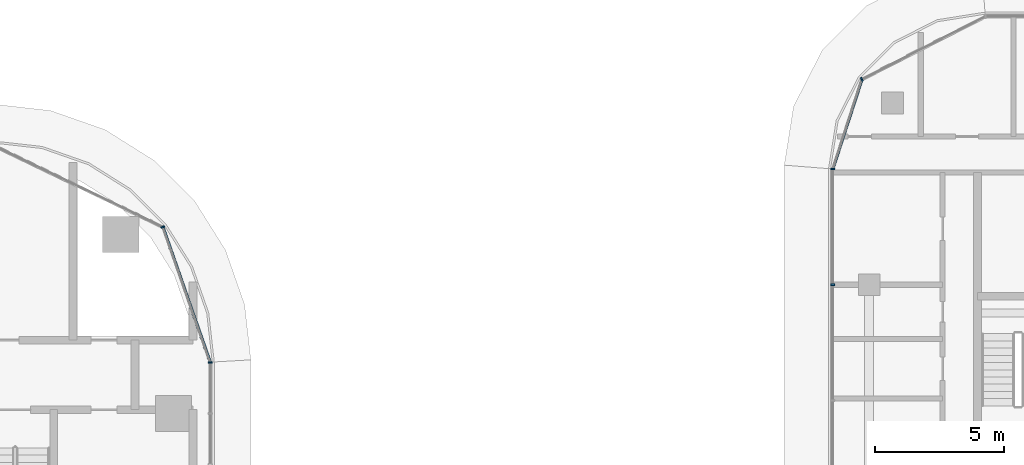
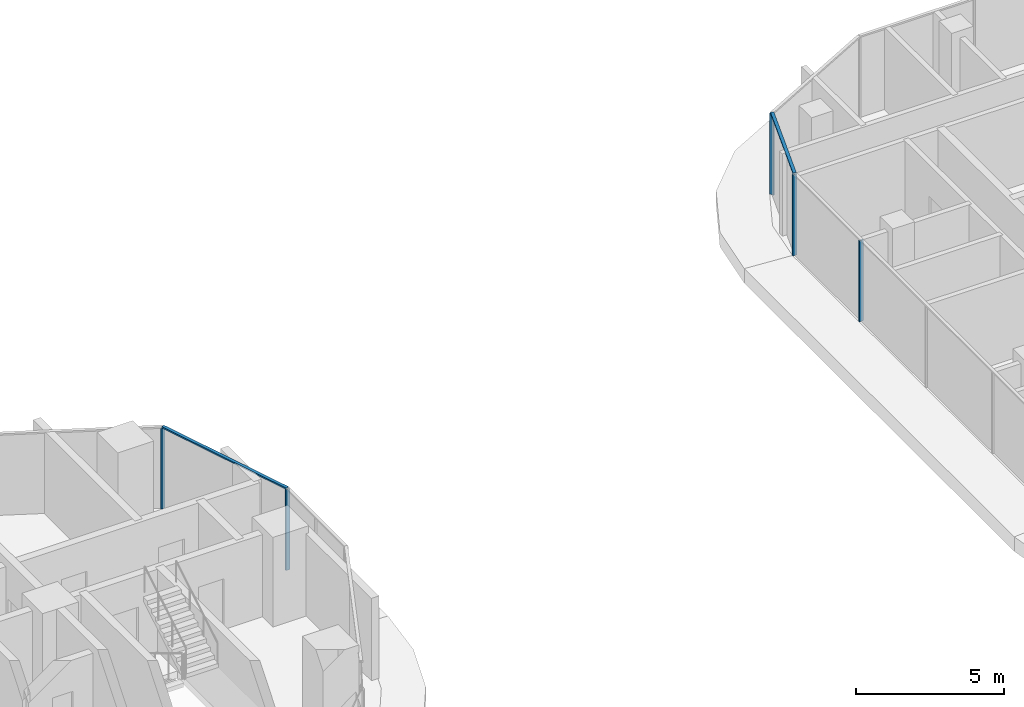
# One storey, part 9 of 36: 7 members, 4 elements without a shape of their own.
"""IFC4 building model written with IfcOpenShell, lengths in metres."""

from ifc_helpers import new_model, si_unit, direction, frame, origin, origin_2d, place, context, subcontext, project, spatial, rectangle, extrude, material, material_profile, profile_set, type_object, element, aggregate, save


model = new_model("IFC4")

# Units and contexts
model_context = context("Model", 3, precision=1e-05, world=origin(), true_north=direction((0.0, 1.0)))
body_context = subcontext(model_context, "Body", "Model", "MODEL_VIEW")
ifc_project = project(units=[si_unit("LENGTHUNIT", "METRE"), si_unit("AREAUNIT", "SQUARE_METRE"), si_unit("VOLUMEUNIT", "CUBIC_METRE"), si_unit("PLANEANGLEUNIT", "RADIAN"), si_unit("MASSUNIT", "GRAM", prefix="KILO")], contexts=[model_context])

# Site, building, storey
site_placement = place(None, origin())
site = spatial("IfcSite", under=ifc_project, at=site_placement, CompositionType="ELEMENT")
building_placement = place(site_placement, origin())
building = spatial("IfcBuilding", under=site, at=building_placement, Name="Ogive Portal Towers", CompositionType="ELEMENT")
storey_placement = place(building_placement, frame((0.0, 0.0, 70.5)))
storey = spatial("IfcBuildingStorey", under=building, at=storey_placement, Name="L16", CompositionType="ELEMENT", Elevation=70.5)

# Curtain wall, member
ifc_material_1 = material(Name="Glass, clear low-iron insulated glazing", Category="glass")
curtain_wall_type_1 = type_object("IfcCurtainWallType", Name="CW FRONT RIBBON 4500", PredefinedType="NOTDEFINED", material=ifc_material_1)
curtain_wall_1_placement = place(storey_placement, origin())
curtain_wall_1 = element("IfcCurtainWall", 1, at=curtain_wall_1_placement, inside=storey, type_object=curtain_wall_type_1, Name="A:L16:f09:cw0", PredefinedType="NOTDEFINED")
ifc_material_2 = material(Name="Aluminium 6063 anodised", Category="aluminium")
ifc_material_profile_1 = material_profile(ifc_material_2, rectangle(XDim=0.159912109375, YDim=0.06005859375, at=origin_2d()), Name="AL 60x160")
ifc_profile_set_1 = profile_set([ifc_material_profile_1], Name="Aluminium 6063 anodised")
member_type_1 = type_object("IfcMemberType", Name="CW MULLION 60x160", PredefinedType="MULLION", material=ifc_profile_set_1)
member_1_placement = place(storey_placement, frame((95.919921875, 32.486328125, 0.0), z_axis=(0.0, 0.0, 1.0), x_axis=(-1.0, 0.0, 0.0)))
member_1 = element("IfcMember", 2, at=member_1_placement, type_object=member_type_1, Name="mullion", PredefinedType="MULLION", context=body_context, shape_type="SweptSolid", body=[
    extrude(rectangle(XDim=0.159912109375, YDim=0.06005859375, at=origin_2d()), origin(), (0.0, 0.0, 1.0), 3.340087890625),
])
aggregate(curtain_wall_1, [member_1])

curtain_wall_2_placement = place(storey_placement, origin())
curtain_wall_2 = element("IfcCurtainWall", 3, at=curtain_wall_2_placement, inside=storey, type_object=curtain_wall_type_1, Name="A:L16:f10:cwa", PredefinedType="NOTDEFINED")
member_2_placement = place(storey_placement, frame((94.0810546875, 37.741943359375, 0.0), z_axis=(0.0, 0.0, 1.0), x_axis=(-0.943883330307, -0.33027906196, 0.0)))
member_2 = element("IfcMember", 4, at=member_2_placement, type_object=member_type_1, Name="mullion", PredefinedType="MULLION", context=body_context, shape_type="SweptSolid", body=[
    extrude(rectangle(XDim=0.159912109375, YDim=0.06005859375, at=origin_2d()), origin(), (0.0, 0.0, 1.0), 3.340087890625),
])

# Curtain wall, members
curtain_wall_type_2 = type_object("IfcCurtainWallType", Name="CW RESIDENCES RIBBON", PredefinedType="NOTDEFINED", material=ifc_material_1)
curtain_wall_3_placement = place(storey_placement, origin())
curtain_wall_3 = element("IfcCurtainWall", 5, at=curtain_wall_3_placement, inside=storey, type_object=curtain_wall_type_2, Name="B:L16:f11:cw0", PredefinedType="NOTDEFINED")
member_3_placement = place(storey_placement, frame((120.080078125, 39.9873046875, 0.0), z_axis=(0.0, 0.0, 1.0), x_axis=(1.0, 0.0, 0.0)))
member_3 = element("IfcMember", 6, at=member_3_placement, type_object=member_type_1, Name="mullion", PredefinedType="MULLION", context=body_context, shape_type="SweptSolid", body=[
    extrude(rectangle(XDim=0.159912109375, YDim=0.06005859375, at=origin_2d()), origin(), (0.0, 0.0, 1.0), 3.340087890625),
])
member_4_placement = place(storey_placement, frame((120.080078125, 35.5, 0.0), z_axis=(0.0, 0.0, 1.0), x_axis=(1.0, 0.0, 0.0)))
member_4 = element("IfcMember", 7, at=member_4_placement, type_object=member_type_1, Name="mullion", PredefinedType="MULLION", context=body_context, shape_type="SweptSolid", body=[
    extrude(rectangle(XDim=0.159912109375, YDim=0.06005859375, at=origin_2d()), origin(), (0.0, 0.0, 1.0), 3.340087890625),
])
aggregate(curtain_wall_3, [member_3, member_4])

# Curtain wall, member
curtain_wall_4_placement = place(storey_placement, origin())
curtain_wall_4 = element("IfcCurtainWall", 8, at=curtain_wall_4_placement, inside=storey, type_object=curtain_wall_type_2, Name="B:L16:f09:cwa", PredefinedType="NOTDEFINED")
member_5_placement = place(storey_placement, frame((121.211669921875, 43.470458984375, 0.0), z_axis=(0.0, 0.0, 1.0), x_axis=(0.45399049974, -0.891006524188, 0.0)))
member_5 = element("IfcMember", 9, at=member_5_placement, type_object=member_type_1, Name="mullion", PredefinedType="MULLION", context=body_context, shape_type="SweptSolid", body=[
    extrude(rectangle(XDim=0.159912109375, YDim=0.06005859375, at=origin_2d()), origin(), (0.0, 0.0, 1.0), 3.340087890625),
])

# Member
ifc_material_profile_2 = material_profile(ifc_material_2, rectangle(XDim=0.1201171875, YDim=0.06005859375, at=origin_2d()), Name="AL 120x60")
ifc_profile_set_2 = profile_set([ifc_material_profile_2], Name="Aluminium 6063 anodised")
member_type_2 = type_object("IfcMemberType", Name="CW TRANSOM 60x120", PredefinedType="USERDEFINED", material=ifc_profile_set_2)
member_6_placement = place(storey_placement, frame((95.919921875, 32.486328125, 3.3701171875), z_axis=(-0.330254721593, 0.943891847017, 0.0), x_axis=(-0.943891847017, -0.330254721593, 0.0)))
member_6 = element("IfcMember", 10, at=member_6_placement, type_object=member_type_2, Name="transom", ObjectType="TRANSOM", PredefinedType="USERDEFINED", context=body_context, shape_type="SweptSolid", body=[
    extrude(rectangle(XDim=0.1201171875, YDim=0.06005859375, at=origin_2d()), origin(), (0.0, 0.0, 1.0), 5.568115234375),
])

aggregate(curtain_wall_2, [member_6, member_2])

member_7_placement = place(storey_placement, frame((121.211669921875, 43.470458984375, 3.3701171875), z_axis=(-0.308979049184, -0.951068844598, 0.0), x_axis=(0.951068844598, -0.308979049184, 0.0)))
member_7 = element("IfcMember", 11, at=member_7_placement, type_object=member_type_2, Name="transom", ObjectType="TRANSOM", PredefinedType="USERDEFINED", context=body_context, shape_type="SweptSolid", body=[
    extrude(rectangle(XDim=0.1201171875, YDim=0.06005859375, at=origin_2d()), origin(), (0.0, 0.0, 1.0), 3.662353515625),
])

aggregate(curtain_wall_4, [member_7, member_5])

save(model, "model.ifc")
